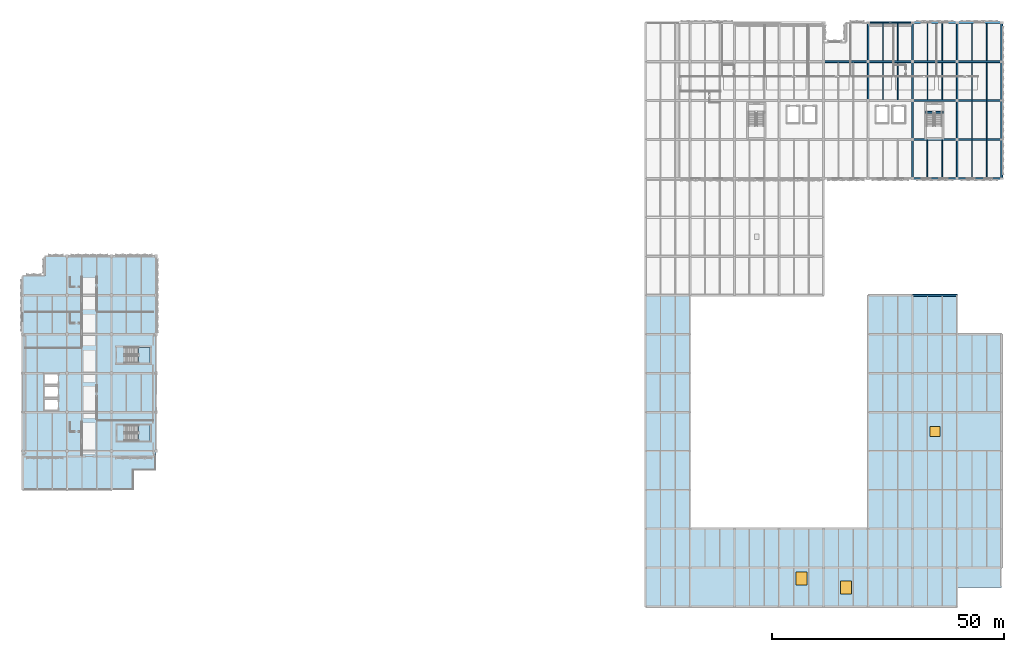
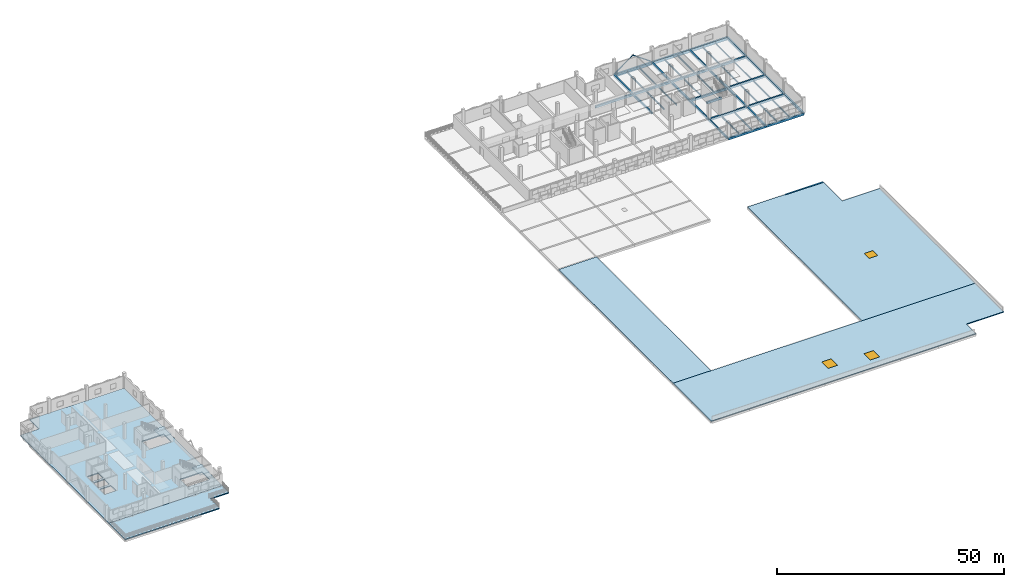
# One storey, part 7 of 24: 47 beams, 7 slabs, 3 windows, 2 members, 3 openings, 3 elements without a shape of their own.
"""IFC4 building model written with IfcOpenShell, lengths in metres."""

from ifc_helpers import new_model, si_unit, direction, frame, origin, origin_2d, place, context, subcontext, project, spatial, polyline, rectangle, hollow_rectangle, i_section, outline, extrude, material, layer, layer_set, material_profile, profile_set, type_object, element, fill, aggregate, save


model = new_model("IFC4")

# Units and contexts
model_context = context("Model", 3, precision=1e-05, world=origin(), true_north=direction((0.0, 1.0)))
body_context = subcontext(model_context, "Body", "Model", "MODEL_VIEW")
ifc_project = project(units=[si_unit("LENGTHUNIT", "METRE"), si_unit("AREAUNIT", "SQUARE_METRE"), si_unit("VOLUMEUNIT", "CUBIC_METRE"), si_unit("PLANEANGLEUNIT", "RADIAN"), si_unit("MASSUNIT", "GRAM", prefix="KILO")], contexts=[model_context])

# Site, building, storey
site_placement = place(None, origin())
site = spatial("IfcSite", under=ifc_project, at=site_placement, CompositionType="ELEMENT")
building_placement = place(site_placement, origin())
building = spatial("IfcBuilding", under=site, at=building_placement, Name="Oolite Switchyard Hospital", CompositionType="ELEMENT")
storey_placement = place(building_placement, frame((0.0, 0.0, 22.0)))
storey = spatial("IfcBuildingStorey", under=building, at=storey_placement, Name="L05", CompositionType="ELEMENT", Elevation=22.0)

# Beams
ifc_material_1 = material(Name="Concrete C40/50", Category="concrete")
ifc_material_profile_1 = material_profile(ifc_material_1, rectangle(XDim=0.35009765625, YDim=0.550048828125, at=origin_2d()), Name="RCB350X550")
ifc_profile_set_1 = profile_set([ifc_material_profile_1], Name="Concrete C40/50")
beam_type_1 = type_object("IfcBeamType", Name="BM-RC350X550", PredefinedType="BEAM", material=ifc_profile_set_1)
for number, where, z_axis, x_axis, name in (
    (1, (182.39990234375, 117.60009765625, -0.27490234375), (0.0, 1.0, 0.0), (-1.0, 0.0, 0.0), "L05 Y-Girder 3535"),
    (2, (182.39990234375, 126.0, -0.27490234375), (0.0, 1.0, 0.0), (-1.0, 0.0, 0.0), "L05 Y-Girder 3536"),
    (3, (192.0, 100.800048828125, -0.27490234375), (0.0, 1.0, 0.0), (-1.0, 0.0, 0.0), "L05 Y-Girder 3545"),
):
    element("IfcBeam", number, at=place(storey_placement, frame(where, z_axis=z_axis, x_axis=x_axis)), inside=storey, type_object=beam_type_1, Name=name, PredefinedType="BEAM", context=body_context, shape_type="SweptSolid", body=[
        extrude(rectangle(XDim=0.35009765625, YDim=0.550048828125, at=origin_2d()), origin(), (0.0, 0.0, 1.0), 8.39990234375),
    ])
beam_1_placement = place(storey_placement, frame((192.0, 109.199951171875, -0.27490234375), z_axis=(0.0, 1.0, 0.0), x_axis=(-1.0, 0.0, 0.0)))
element("IfcBeam", 4, at=beam_1_placement, inside=storey, type_object=beam_type_1, Name="L05 Y-Girder 3546", PredefinedType="BEAM", context=body_context, shape_type="SweptSolid", body=[
    extrude(rectangle(XDim=0.35009765625, YDim=0.550048828125, at=origin_2d()), origin(), (0.0, 0.0, 1.0), 8.400146484375),
])
for number, where, z_axis, x_axis, name in (
    (5, (192.0, 117.60009765625, -0.27490234375), (0.0, 1.0, 0.0), (-1.0, 0.0, 0.0), "L05 Y-Girder 3547"),
    (6, (192.0, 126.0, -0.27490234375), (0.0, 1.0, 0.0), (-1.0, 0.0, 0.0), "L05 Y-Girder 3548"),
    (7, (201.60009765625, 100.800048828125, -0.27490234375), (0.0, 1.0, 0.0), (-1.0, 0.0, 0.0), "L05 Y-Girder 3557"),
):
    element("IfcBeam", number, at=place(storey_placement, frame(where, z_axis=z_axis, x_axis=x_axis)), inside=storey, type_object=beam_type_1, Name=name, PredefinedType="BEAM", context=body_context, shape_type="SweptSolid", body=[
        extrude(rectangle(XDim=0.35009765625, YDim=0.550048828125, at=origin_2d()), origin(), (0.0, 0.0, 1.0), 8.39990234375),
    ])
beam_2_placement = place(storey_placement, frame((201.60009765625, 109.199951171875, -0.27490234375), z_axis=(0.0, 1.0, 0.0), x_axis=(-1.0, 0.0, 0.0)))
element("IfcBeam", 8, at=beam_2_placement, inside=storey, type_object=beam_type_1, Name="L05 Y-Girder 3558", PredefinedType="BEAM", context=body_context, shape_type="SweptSolid", body=[
    extrude(rectangle(XDim=0.35009765625, YDim=0.550048828125, at=origin_2d()), origin(), (0.0, 0.0, 1.0), 8.400146484375),
])
for number, where, z_axis, x_axis, name in (
    (9, (201.60009765625, 117.60009765625, -0.27490234375), (0.0, 1.0, 0.0), (-1.0, 0.0, 0.0), "L05 Y-Girder 3559"),
    (10, (201.60009765625, 126.0, -0.27490234375), (0.0, 1.0, 0.0), (-1.0, 0.0, 0.0), "L05 Y-Girder 3560"),
):
    element("IfcBeam", number, at=place(storey_placement, frame(where, z_axis=z_axis, x_axis=x_axis)), inside=storey, type_object=beam_type_1, Name=name, PredefinedType="BEAM", context=body_context, shape_type="SweptSolid", body=[
        extrude(rectangle(XDim=0.35009765625, YDim=0.550048828125, at=origin_2d()), origin(), (0.0, 0.0, 1.0), 8.39990234375),
    ])
ifc_material_profile_2 = material_profile(ifc_material_1, rectangle(XDim=0.39990234375, YDim=0.60009765625, at=origin_2d()), Name="RCB400X600")
ifc_profile_set_2 = profile_set([ifc_material_profile_2], Name="Concrete C40/50")
beam_type_2 = type_object("IfcBeamType", Name="BM-RC400X600", PredefinedType="BEAM", material=ifc_profile_set_2)
for number, where, z_axis, x_axis, name in (
    (11, (192.0, 75.60009765625, -0.300048828125), (1.0, 0.0, 0.0), (0.0, 1.0, 0.0), "L05 X-Girder 3396"),
    (12, (192.0, 100.800048828125, -0.300048828125), (1.0, 0.0, 0.0), (0.0, 1.0, 0.0), "L05 X-Girder 3413"),
):
    element("IfcBeam", number, at=place(storey_placement, frame(where, z_axis=z_axis, x_axis=x_axis)), inside=storey, type_object=beam_type_2, Name=name, PredefinedType="BEAM", context=body_context, shape_type="SweptSolid", body=[
        extrude(rectangle(XDim=0.39990234375, YDim=0.60009765625, at=origin_2d()), origin(), (0.0, 0.0, 1.0), 9.60009765625),
    ])
beam_3_placement = place(storey_placement, frame((201.60009765625, 100.800048828125, -0.300048828125), z_axis=(1.0, 0.0, 0.0), x_axis=(0.0, 1.0, 0.0)))
element("IfcBeam", 13, at=beam_3_placement, inside=storey, type_object=beam_type_2, Name="L05 X-Girder 3414", PredefinedType="BEAM", context=body_context, shape_type="SweptSolid", body=[
    extrude(rectangle(XDim=0.39990234375, YDim=0.60009765625, at=origin_2d()), origin(), (0.0, 0.0, 1.0), 9.599853515625),
])
beam_4_placement = place(storey_placement, frame((192.0, 109.199951171875, -0.300048828125), z_axis=(1.0, 0.0, 0.0), x_axis=(0.0, 1.0, 0.0)))
element("IfcBeam", 14, at=beam_4_placement, inside=storey, type_object=beam_type_2, Name="L05 X-Girder 3421", PredefinedType="BEAM", context=body_context, shape_type="SweptSolid", body=[
    extrude(rectangle(XDim=0.39990234375, YDim=0.60009765625, at=origin_2d()), origin(), (0.0, 0.0, 1.0), 9.60009765625),
])
beam_5_placement = place(storey_placement, frame((201.60009765625, 109.199951171875, -0.300048828125), z_axis=(1.0, 0.0, 0.0), x_axis=(0.0, 1.0, 0.0)))
element("IfcBeam", 15, at=beam_5_placement, inside=storey, type_object=beam_type_2, Name="L05 X-Girder 3422", PredefinedType="BEAM", context=body_context, shape_type="SweptSolid", body=[
    extrude(rectangle(XDim=0.39990234375, YDim=0.60009765625, at=origin_2d()), origin(), (0.0, 0.0, 1.0), 9.599853515625),
])
beam_6_placement = place(storey_placement, frame((192.0, 117.60009765625, -0.300048828125), z_axis=(1.0, 0.0, 0.0), x_axis=(0.0, 1.0, 0.0)))
element("IfcBeam", 16, at=beam_6_placement, inside=storey, type_object=beam_type_2, Name="L05 X-Girder 3429", PredefinedType="BEAM", context=body_context, shape_type="SweptSolid", body=[
    extrude(rectangle(XDim=0.39990234375, YDim=0.60009765625, at=origin_2d()), origin(), (0.0, 0.0, 1.0), 9.60009765625),
])
for number, where, z_axis, x_axis, name in (
    (17, (201.60009765625, 117.60009765625, -0.300048828125), (1.0, 0.0, 0.0), (0.0, 1.0, 0.0), "L05 X-Girder 3430"),
    (18, (172.800048828125, 126.0, -0.300048828125), (1.0, 0.0, 0.0), (0.0, 1.0, 0.0), "L05 X-Girder 3435"),
):
    element("IfcBeam", number, at=place(storey_placement, frame(where, z_axis=z_axis, x_axis=x_axis)), inside=storey, type_object=beam_type_2, Name=name, PredefinedType="BEAM", context=body_context, shape_type="SweptSolid", body=[
        extrude(rectangle(XDim=0.39990234375, YDim=0.60009765625, at=origin_2d()), origin(), (0.0, 0.0, 1.0), 9.599853515625),
    ])
for number, where, z_axis, x_axis, name in (
    (19, (182.39990234375, 126.0, -0.300048828125), (1.0, 0.0, 0.0), (0.0, 1.0, 0.0), "L05 X-Girder 3436"),
    (20, (192.0, 126.0, -0.300048828125), (1.0, 0.0, 0.0), (0.0, 1.0, 0.0), "L05 X-Girder 3437"),
):
    element("IfcBeam", number, at=place(storey_placement, frame(where, z_axis=z_axis, x_axis=x_axis)), inside=storey, type_object=beam_type_2, Name=name, PredefinedType="BEAM", context=body_context, shape_type="SweptSolid", body=[
        extrude(rectangle(XDim=0.39990234375, YDim=0.60009765625, at=origin_2d()), origin(), (0.0, 0.0, 1.0), 9.60009765625),
    ])
beam_7_placement = place(storey_placement, frame((201.60009765625, 126.0, -0.300048828125), z_axis=(1.0, 0.0, 0.0), x_axis=(0.0, 1.0, 0.0)))
element("IfcBeam", 21, at=beam_7_placement, inside=storey, type_object=beam_type_2, Name="L05 X-Girder 3438", PredefinedType="BEAM", context=body_context, shape_type="SweptSolid", body=[
    extrude(rectangle(XDim=0.39990234375, YDim=0.60009765625, at=origin_2d()), origin(), (0.0, 0.0, 1.0), 9.599853515625),
])
beam_8_placement = place(storey_placement, frame((211.199951171875, 100.800048828125, -0.300048828125), z_axis=(0.0, 1.0, 0.0), x_axis=(-1.0, 0.0, 0.0)))
element("IfcBeam", 22, at=beam_8_placement, inside=storey, type_object=beam_type_2, Name="L05 Y-Girder 3567", PredefinedType="BEAM", context=body_context, shape_type="SweptSolid", body=[
    extrude(rectangle(XDim=0.39990234375, YDim=0.60009765625, at=origin_2d()), origin(), (0.0, 0.0, 1.0), 8.39990234375),
])
beam_9_placement = place(storey_placement, frame((211.199951171875, 109.199951171875, -0.300048828125), z_axis=(0.0, 1.0, 0.0), x_axis=(-1.0, 0.0, 0.0)))
element("IfcBeam", 23, at=beam_9_placement, inside=storey, type_object=beam_type_2, Name="L05 Y-Girder 3568", PredefinedType="BEAM", context=body_context, shape_type="SweptSolid", body=[
    extrude(rectangle(XDim=0.39990234375, YDim=0.60009765625, at=origin_2d()), origin(), (0.0, 0.0, 1.0), 8.400146484375),
])
for number, where, z_axis, x_axis, name in (
    (24, (211.199951171875, 117.60009765625, -0.300048828125), (0.0, 1.0, 0.0), (-1.0, 0.0, 0.0), "L05 Y-Girder 3569"),
    (25, (211.199951171875, 126.0, -0.300048828125), (0.0, 1.0, 0.0), (-1.0, 0.0, 0.0), "L05 Y-Girder 3570"),
):
    element("IfcBeam", number, at=place(storey_placement, frame(where, z_axis=z_axis, x_axis=x_axis)), inside=storey, type_object=beam_type_2, Name=name, PredefinedType="BEAM", context=body_context, shape_type="SweptSolid", body=[
        extrude(rectangle(XDim=0.39990234375, YDim=0.60009765625, at=origin_2d()), origin(), (0.0, 0.0, 1.0), 8.39990234375),
    ])
beam_10_placement = place(storey_placement, frame((194.77490234375, 115.110107421875, -0.300048828125), z_axis=(1.0, 0.0, 0.0), x_axis=(0.0, 1.0, 0.0)))
element("IfcBeam", 26, at=beam_10_placement, inside=storey, type_object=beam_type_2, Name="L05 ST-04 Stair Throat Trimmer Beam", PredefinedType="BEAM", context=body_context, shape_type="SweptSolid", body=[
    extrude(rectangle(XDim=0.39990234375, YDim=0.60009765625, at=origin_2d()), origin(), (0.0, 0.0, 1.0), 3.81005859375),
])
ifc_material_profile_3 = material_profile(ifc_material_1, rectangle(XDim=0.449951171875, YDim=0.75, at=origin_2d()), Name="RCB450X750")
ifc_profile_set_3 = profile_set([ifc_material_profile_3], Name="Concrete C40/50")
beam_type_3 = type_object("IfcBeamType", Name="BM-RC450X750", PredefinedType="BEAM", material=ifc_profile_set_3)
for number, where, z_axis, x_axis, name in (
    (27, (182.39990234375, 134.39990234375, -0.375), (1.0, 0.0, 0.0), (0.0, 1.0, 0.0), "L05 X-Girder 3443"),
    (28, (192.0, 134.39990234375, -0.375), (1.0, 0.0, 0.0), (0.0, 1.0, 0.0), "L05 X-Girder 3444"),
):
    element("IfcBeam", number, at=place(storey_placement, frame(where, z_axis=z_axis, x_axis=x_axis)), inside=storey, type_object=beam_type_3, Name=name, PredefinedType="BEAM", context=body_context, shape_type="SweptSolid", body=[
        extrude(rectangle(XDim=0.449951171875, YDim=0.75, at=origin_2d()), origin(), (0.0, 0.0, 1.0), 9.60009765625),
    ])
beam_11_placement = place(storey_placement, frame((201.60009765625, 134.39990234375, -0.375), z_axis=(1.0, 0.0, 0.0), x_axis=(0.0, 1.0, 0.0)))
element("IfcBeam", 29, at=beam_11_placement, inside=storey, type_object=beam_type_3, Name="L05 X-Girder 3445", PredefinedType="BEAM", context=body_context, shape_type="SweptSolid", body=[
    extrude(rectangle(XDim=0.449951171875, YDim=0.75, at=origin_2d()), origin(), (0.0, 0.0, 1.0), 9.599853515625),
])
ifc_material_2 = material(Name="Steel ASTM A992 Grade 50", Category="steel")
ifc_material_profile_4 = material_profile(ifc_material_2, i_section(OverallWidth=0.1650390625, OverallDepth=0.31005859375, WebThickness=0.006103515625, FlangeThickness=0.010009765625, at=origin_2d()), Name="W12X26")
ifc_profile_set_4 = profile_set([ifc_material_profile_4], Name="Steel ASTM A992 Grade 50")
beam_type_4 = type_object("IfcBeamType", Name="BM-W12X26", PredefinedType="JOIST", material=ifc_profile_set_4)
beam_12_placement = place(storey_placement, frame((208.0, 126.199951171875, -0.429931640625), z_axis=(0.0, 1.0, 0.0), x_axis=(-1.0, 0.0, 0.0)))
element("IfcBeam", 30, at=beam_12_placement, inside=storey, type_object=beam_type_4, Name="L05 Secondary Steel Joist 3746", PredefinedType="JOIST", context=body_context, shape_type="SweptSolid", body=[
    extrude(i_section(OverallWidth=0.1650390625, OverallDepth=0.31005859375, WebThickness=0.006103515625, FlangeThickness=0.010009765625, at=origin_2d()), origin(), (0.0, 0.0, 1.0), 7.97509765625),
])
ifc_material_profile_5 = material_profile(ifc_material_2, i_section(OverallWidth=0.1708984375, OverallDepth=0.35107421875, WebThickness=0.007080078125, FlangeThickness=0.010009765625, at=origin_2d()), Name="W14X30")
ifc_profile_set_5 = profile_set([ifc_material_profile_5], Name="Steel ASTM A992 Grade 50")
beam_type_5 = type_object("IfcBeamType", Name="BM-W14X30", PredefinedType="JOIST", material=ifc_profile_set_5)
beam_13_placement = place(storey_placement, frame((198.39990234375, 126.199951171875, -0.449951171875), z_axis=(0.0, 1.0, 0.0), x_axis=(-1.0, 0.0, 0.0)))
element("IfcBeam", 31, at=beam_13_placement, inside=storey, type_object=beam_type_5, Name="L05 Secondary Steel Joist 3728", PredefinedType="JOIST", context=body_context, shape_type="SweptSolid", body=[
    extrude(i_section(OverallWidth=0.1708984375, OverallDepth=0.35107421875, WebThickness=0.007080078125, FlangeThickness=0.010009765625, at=origin_2d()), origin(), (0.0, 0.0, 1.0), 7.97509765625),
])
beam_14_placement = place(storey_placement, frame((208.0, 117.800048828125, -0.449951171875), z_axis=(0.0, 1.0, 0.0), x_axis=(-1.0, 0.0, 0.0)))
element("IfcBeam", 32, at=beam_14_placement, inside=storey, type_object=beam_type_5, Name="L05 Secondary Steel Joist 3744", PredefinedType="JOIST", context=body_context, shape_type="SweptSolid", body=[
    extrude(i_section(OverallWidth=0.1708984375, OverallDepth=0.35107421875, WebThickness=0.007080078125, FlangeThickness=0.010009765625, at=origin_2d()), origin(), (0.0, 0.0, 1.0), 8.0),
])
beam_15_placement = place(storey_placement, frame((204.800048828125, 126.199951171875, -0.449951171875), z_axis=(0.0, 1.0, 0.0), x_axis=(-1.0, 0.0, 0.0)))
element("IfcBeam", 33, at=beam_15_placement, inside=storey, type_object=beam_type_5, Name="L05 Secondary Steel Joist 3745", PredefinedType="JOIST", context=body_context, shape_type="SweptSolid", body=[
    extrude(i_section(OverallWidth=0.1708984375, OverallDepth=0.35107421875, WebThickness=0.007080078125, FlangeThickness=0.010009765625, at=origin_2d()), origin(), (0.0, 0.0, 1.0), 7.97509765625),
])
ifc_material_profile_6 = material_profile(ifc_material_2, i_section(OverallWidth=0.177978515625, OverallDepth=0.403076171875, WebThickness=0.008056640625, FlangeThickness=0.010986328125, at=origin_2d()), Name="W16X36")
ifc_profile_set_6 = profile_set([ifc_material_profile_6], Name="Steel ASTM A992 Grade 50")
beam_type_6 = type_object("IfcBeamType", Name="BM-W16X36", PredefinedType="JOIST", material=ifc_profile_set_6)
beam_16_placement = place(storey_placement, frame((188.800048828125, 126.199951171875, -0.47607421875), z_axis=(0.0, 1.0, 0.0), x_axis=(-1.0, 0.0, 0.0)))
element("IfcBeam", 34, at=beam_16_placement, inside=storey, type_object=beam_type_6, Name="L05 Secondary Steel Joist 3706", PredefinedType="JOIST", context=body_context, shape_type="SweptSolid", body=[
    extrude(i_section(OverallWidth=0.177978515625, OverallDepth=0.403076171875, WebThickness=0.008056640625, FlangeThickness=0.010986328125, at=origin_2d()), origin(), (0.0, 0.0, 1.0), 7.97509765625),
])
beam_17_placement = place(storey_placement, frame((198.39990234375, 117.800048828125, -0.47607421875), z_axis=(0.0, 1.0, 0.0), x_axis=(-1.0, 0.0, 0.0)))
element("IfcBeam", 35, at=beam_17_placement, inside=storey, type_object=beam_type_6, Name="L05 Secondary Steel Joist 3726", PredefinedType="JOIST", context=body_context, shape_type="SweptSolid", body=[
    extrude(i_section(OverallWidth=0.177978515625, OverallDepth=0.403076171875, WebThickness=0.008056640625, FlangeThickness=0.010986328125, at=origin_2d()), origin(), (0.0, 0.0, 1.0), 8.0),
])
beam_18_placement = place(storey_placement, frame((195.199951171875, 126.199951171875, -0.47607421875), z_axis=(0.0, 1.0, 0.0), x_axis=(-1.0, 0.0, 0.0)))
element("IfcBeam", 36, at=beam_18_placement, inside=storey, type_object=beam_type_6, Name="L05 Secondary Steel Joist 3727", PredefinedType="JOIST", context=body_context, shape_type="SweptSolid", body=[
    extrude(i_section(OverallWidth=0.177978515625, OverallDepth=0.403076171875, WebThickness=0.008056640625, FlangeThickness=0.010986328125, at=origin_2d()), origin(), (0.0, 0.0, 1.0), 7.97509765625),
])
for number, where, z_axis, x_axis, name in (
    (37, (208.0, 109.39990234375, -0.47607421875), (0.0, 1.0, 0.0), (-1.0, 0.0, 0.0), "L05 Secondary Steel Joist 3742"),
    (38, (204.800048828125, 117.800048828125, -0.47607421875), (0.0, 1.0, 0.0), (-1.0, 0.0, 0.0), "L05 Secondary Steel Joist 3743"),
):
    element("IfcBeam", number, at=place(storey_placement, frame(where, z_axis=z_axis, x_axis=x_axis)), inside=storey, type_object=beam_type_6, Name=name, PredefinedType="JOIST", context=body_context, shape_type="SweptSolid", body=[
        extrude(i_section(OverallWidth=0.177978515625, OverallDepth=0.403076171875, WebThickness=0.008056640625, FlangeThickness=0.010986328125, at=origin_2d()), origin(), (0.0, 0.0, 1.0), 8.0),
    ])
ifc_material_profile_7 = material_profile(ifc_material_2, i_section(OverallWidth=0.179931640625, OverallDepth=0.4130859375, WebThickness=0.010009765625, FlangeThickness=0.01611328125, at=origin_2d()), Name="W16X50")
ifc_profile_set_7 = profile_set([ifc_material_profile_7], Name="Steel ASTM A992 Grade 50")
beam_type_7 = type_object("IfcBeamType", Name="BM-W16X50", PredefinedType="JOIST", material=ifc_profile_set_7)
beam_19_placement = place(storey_placement, frame((188.800048828125, 117.800048828125, -0.48095703125), z_axis=(0.0, 1.0, 0.0), x_axis=(-1.0, 0.0, 0.0)))
element("IfcBeam", 39, at=beam_19_placement, inside=storey, type_object=beam_type_7, Name="L05 Secondary Steel Joist 3704", PredefinedType="JOIST", context=body_context, shape_type="SweptSolid", body=[
    extrude(i_section(OverallWidth=0.179931640625, OverallDepth=0.4130859375, WebThickness=0.010009765625, FlangeThickness=0.01611328125, at=origin_2d()), origin(), (0.0, 0.0, 1.0), 8.0),
])
beam_20_placement = place(storey_placement, frame((185.60009765625, 126.199951171875, -0.48095703125), z_axis=(0.0, 1.0, 0.0), x_axis=(-1.0, 0.0, 0.0)))
element("IfcBeam", 40, at=beam_20_placement, inside=storey, type_object=beam_type_7, Name="L05 Secondary Steel Joist 3705", PredefinedType="JOIST", context=body_context, shape_type="SweptSolid", body=[
    extrude(i_section(OverallWidth=0.179931640625, OverallDepth=0.4130859375, WebThickness=0.010009765625, FlangeThickness=0.01611328125, at=origin_2d()), origin(), (0.0, 0.0, 1.0), 7.97509765625),
])
for number, where, z_axis, x_axis, name in (
    (41, (195.199951171875, 117.800048828125, -0.48095703125), (0.0, 1.0, 0.0), (-1.0, 0.0, 0.0), "L05 Secondary Steel Joist 3725"),
    (42, (208.0, 101.0, -0.48095703125), (0.0, 1.0, 0.0), (-1.0, 0.0, 0.0), "L05 Secondary Steel Joist 3740"),
    (43, (204.800048828125, 109.39990234375, -0.48095703125), (0.0, 1.0, 0.0), (-1.0, 0.0, 0.0), "L05 Secondary Steel Joist 3741"),
):
    element("IfcBeam", number, at=place(storey_placement, frame(where, z_axis=z_axis, x_axis=x_axis)), inside=storey, type_object=beam_type_7, Name=name, PredefinedType="JOIST", context=body_context, shape_type="SweptSolid", body=[
        extrude(i_section(OverallWidth=0.179931640625, OverallDepth=0.4130859375, WebThickness=0.010009765625, FlangeThickness=0.01611328125, at=origin_2d()), origin(), (0.0, 0.0, 1.0), 8.0),
    ])
ifc_material_profile_8 = material_profile(ifc_material_2, i_section(OverallWidth=0.153076171875, OverallDepth=0.455078125, WebThickness=0.008056640625, FlangeThickness=0.012939453125, at=origin_2d()), Name="W18X40")
ifc_profile_set_8 = profile_set([ifc_material_profile_8], Name="Steel ASTM A992 Grade 50")
beam_type_8 = type_object("IfcBeamType", Name="BM-W18X40", PredefinedType="JOIST", material=ifc_profile_set_8)
for number, where, z_axis, x_axis, name in (
    (44, (185.60009765625, 117.800048828125, -0.501953125), (0.0, 1.0, 0.0), (-1.0, 0.0, 0.0), "L05 Secondary Steel Joist 3703"),
    (45, (198.39990234375, 101.0, -0.501953125), (0.0, 1.0, 0.0), (-1.0, 0.0, 0.0), "L05 Secondary Steel Joist 3724"),
    (46, (204.800048828125, 101.0, -0.501953125), (0.0, 1.0, 0.0), (-1.0, 0.0, 0.0), "L05 Secondary Steel Joist 3739"),
):
    element("IfcBeam", number, at=place(storey_placement, frame(where, z_axis=z_axis, x_axis=x_axis)), inside=storey, type_object=beam_type_8, Name=name, PredefinedType="JOIST", context=body_context, shape_type="SweptSolid", body=[
        extrude(i_section(OverallWidth=0.153076171875, OverallDepth=0.455078125, WebThickness=0.008056640625, FlangeThickness=0.012939453125, at=origin_2d()), origin(), (0.0, 0.0, 1.0), 8.0),
    ])
ifc_material_profile_9 = material_profile(ifc_material_2, i_section(OverallWidth=0.19091796875, OverallDepth=0.4599609375, WebThickness=0.010009765625, FlangeThickness=0.01611328125, at=origin_2d()), Name="W18X55")
ifc_profile_set_9 = profile_set([ifc_material_profile_9], Name="Steel ASTM A992 Grade 50")
beam_type_9 = type_object("IfcBeamType", Name="BM-W18X55", PredefinedType="JOIST", material=ifc_profile_set_9)
beam_21_placement = place(storey_placement, frame((195.199951171875, 101.0, -0.5048828125), z_axis=(0.0, 1.0, 0.0), x_axis=(-1.0, 0.0, 0.0)))
element("IfcBeam", 47, at=beam_21_placement, inside=storey, type_object=beam_type_9, Name="L05 Secondary Steel Joist 3723", PredefinedType="JOIST", context=body_context, shape_type="SweptSolid", body=[
    extrude(i_section(OverallWidth=0.19091796875, OverallDepth=0.4599609375, WebThickness=0.010009765625, FlangeThickness=0.01611328125, at=origin_2d()), origin(), (0.0, 0.0, 1.0), 8.0),
])

# Members
ifc_material_3 = material(Name="Steel ASTM A500 Grade C", Category="steel")
ifc_material_profile_10 = material_profile(ifc_material_3, hollow_rectangle(XDim=0.152099609375, YDim=0.25390625, WallThickness=0.012939453125, at=origin_2d()), Name="HSS254X152X13")
ifc_profile_set_10 = profile_set([ifc_material_profile_10], Name="Steel ASTM A500 Grade C")
member_type = type_object("IfcMemberType", Name="MEM-BR-RHS254", PredefinedType="BRACE", material=ifc_profile_set_10)
for number, where, z_axis, x_axis, name in (
    (48, (182.39990234375, 134.39990234375, 0.02001953125), (0.813627204479, 0.0, 0.581386938392), (0.0, 1.0, 0.0), "L05 Chevron Brace 55"),
    (49, (192.0, 134.39990234375, 0.02001953125), (-0.813627204479, 0.0, 0.581386938392), (0.0, -1.0, 0.0), "L05 Chevron Brace 56"),
):
    element("IfcMember", number, at=place(storey_placement, frame(where, z_axis=z_axis, x_axis=x_axis)), inside=storey, type_object=member_type, Name=name, PredefinedType="BRACE", context=body_context, shape_type="SweptSolid", body=[
        extrude(hollow_rectangle(XDim=0.152099609375, YDim=0.25390625, WallThickness=0.012939453125, at=origin_2d()), origin(), (0.0, 0.0, 1.0), 5.899658203125),
    ])

# Slab
ifc_layer_1 = layer(ifc_material_1, 0.27490234375)
ifc_layer_set_1 = layer_set([ifc_layer_1], Name="SLB-FLR-275")
slab_type_1 = type_object("IfcSlabType", Name="SLB-FLR-275", PredefinedType="FLOOR", material=ifc_layer_set_1)
slab_1_placement = place(storey_placement, frame((0.0, 0.0, -0.27490234375)))
element("IfcSlab", 50, at=slab_1_placement, inside=storey, type_object=slab_type_1, Name="L05 V5W Slab V5W", PredefinedType="FLOOR", context=body_context, shape_type="SweptSolid", body=[
    extrude(outline(polyline([(0.0, 40.800048828125), (28.800048828125, 40.800048828125), (28.800048828125, 84.0), (4.800048828125, 84.0), (4.800048828125, 79.800048828125), (0.0, 79.800048828125), (0.0, 40.800048828125)]), holes=[polyline([(21.9599609375, 44.199951171875), (27.550048828125, 44.199951171875), (27.550048828125, 47.56005859375), (21.9599609375, 47.56005859375), (21.9599609375, 44.199951171875)]), polyline([(21.9599609375, 61.0), (27.550048828125, 61.0), (27.550048828125, 64.360107421875), (21.9599609375, 64.360107421875), (21.9599609375, 61.0)]), polyline([(4.800048828125, 50.89990234375), (7.60009765625, 50.89990234375), (7.60009765625, 53.10009765625), (4.800048828125, 53.10009765625), (4.800048828125, 50.89990234375)]), polyline([(4.800048828125, 53.699951171875), (7.60009765625, 53.699951171875), (7.60009765625, 55.89990234375), (4.800048828125, 55.89990234375), (4.800048828125, 53.699951171875)]), polyline([(4.800048828125, 56.5), (7.60009765625, 56.5), (7.60009765625, 58.699951171875), (4.800048828125, 58.699951171875), (4.800048828125, 56.5)])]), origin(), (0.0, 0.0, 1.0), 0.27490234375),
])

# Stair, slab
stair_type = type_object("IfcStairType", Name="STR-DL-156-R24", PredefinedType="HALF_TURN_STAIR", material=ifc_material_1)
stair_1_placement = place(storey_placement, origin())
stair_1 = element("IfcStair", 51, at=stair_1_placement, inside=storey, type_object=stair_type, Name="L05 Exit Stair ST-01", PredefinedType="HALF_TURN_STAIR")
ifc_layer_2 = layer(ifc_material_1, 0.199951171875)
ifc_layer_set_2 = layer_set([ifc_layer_2], Name="SLB-LND-200")
slab_type_2 = type_object("IfcSlabType", Name="SLB-LND-200", PredefinedType="LANDING", material=ifc_layer_set_2)
slab_2_placement = place(storey_placement, frame((0.0, 0.0, 1.89990234375)))
slab_2 = element("IfcSlab", 52, at=slab_2_placement, type_object=slab_type_2, Name="ST-01 landing 1", PredefinedType="LANDING", context=body_context, shape_type="SweptSolid", body=[
    extrude(outline(polyline([(25.0400390625, 44.199951171875), (27.550048828125, 44.199951171875), (27.550048828125, 47.56005859375), (25.0400390625, 47.56005859375), (25.0400390625, 44.199951171875)])), origin(), (0.0, 0.0, 1.0), 0.2001953125),
])
aggregate(stair_1, [slab_2])

stair_2_placement = place(storey_placement, origin())
stair_2 = element("IfcStair", 53, at=stair_2_placement, inside=storey, type_object=stair_type, Name="L05 Exit Stair ST-02", PredefinedType="HALF_TURN_STAIR")
slab_3_placement = place(storey_placement, frame((0.0, 0.0, 1.89990234375)))
slab_3 = element("IfcSlab", 54, at=slab_3_placement, type_object=slab_type_2, Name="ST-02 landing 1", PredefinedType="LANDING", context=body_context, shape_type="SweptSolid", body=[
    extrude(outline(polyline([(25.0400390625, 61.0), (27.550048828125, 61.0), (27.550048828125, 64.360107421875), (25.0400390625, 64.360107421875), (25.0400390625, 61.0)])), origin(), (0.0, 0.0, 1.0), 0.2001953125),
])
aggregate(stair_2, [slab_3])

# Roof, slabs, openings, windows
roof_type = type_object("IfcRoofType", Name="ROOF-FLAT", PredefinedType="FLAT_ROOF", material=ifc_material_1)
roof_placement = place(storey_placement, origin())
roof = element("IfcRoof", 55, at=roof_placement, inside=storey, type_object=roof_type, Name="L05 Flat Cool Roof Assembly", PredefinedType="FLAT_ROOF")
ifc_layer_3 = layer(ifc_material_1, 0.235107421875)
ifc_layer_set_3 = layer_set([ifc_layer_3], Name="SLB-ROOF-235")
slab_type_3 = type_object("IfcSlabType", Name="SLB-ROOF-235", PredefinedType="ROOF", material=ifc_layer_set_3)
slab_4_placement = place(storey_placement, frame((0.0, 0.0, -0.235107421875)))
slab_4 = element("IfcSlab", 56, at=slab_4_placement, type_object=slab_type_3, Name="L05 V6 Slab V6SR", PredefinedType="ROOF", context=body_context, shape_type="SweptSolid", body=[
    extrude(outline(polyline([(134.39990234375, 8.39990234375), (201.60009765625, 8.39990234375), (201.60009765625, 12.60009765625), (211.199951171875, 12.60009765625), (211.199951171875, 25.199951171875), (134.39990234375, 25.199951171875), (134.39990234375, 8.39990234375)])), origin(), (0.0, 0.0, 1.0), 0.235107421875),
])
opening_1_placement = place(slab_4_placement, frame((168.0, 14.5, 0.0)))
opening_1 = element("IfcOpeningElement", 57, at=opening_1_placement, cuts=slab_4, Name="Opening SKY-009", PredefinedType="OPENING", context=body_context, shape_type="SweptSolid", body=[
    extrude(rectangle(XDim=2.39990234375, YDim=2.800048828125, at=origin_2d()), frame((0.0, 0.0, -0.010009765625), z_axis=(0.0, 0.0, 1.0), x_axis=(1.0, 0.0, 0.0)), (0.0, 0.0, 1.0), 0.255126953125),
])
opening_2_placement = place(slab_4_placement, frame((177.60009765625, 12.60009765625, 0.0)))
opening_2 = element("IfcOpeningElement", 58, at=opening_2_placement, cuts=slab_4, Name="Opening SKY-010", PredefinedType="OPENING", context=body_context, shape_type="SweptSolid", body=[
    extrude(rectangle(XDim=2.39990234375, YDim=2.800048828125, at=origin_2d()), frame((0.0, 0.0, -0.010009765625), z_axis=(0.0, 0.0, 1.0), x_axis=(1.0, 0.0, 0.0)), (0.0, 0.0, 1.0), 0.255126953125),
])
ifc_material_4 = material(Name="Thermally broken aluminum frame with laminated impact glazing", Category="aluminium")
window_type_1 = type_object("IfcWindowType", Name="SKY-240X280", PartitioningType="SINGLE_PANEL", PredefinedType="SKYLIGHT", material=ifc_material_4)
window_1_placement = place(opening_1_placement, frame((0.0, 0.0, 0.18505859375)))
window_1 = element("IfcWindow", 59, at=window_1_placement, inside=storey, type_object=window_type_1, Name="L05 Hurricane Roof Skylight SKY-009", OverallHeight=2.800048828125, OverallWidth=2.39990234375, PartitioningType="SINGLE_PANEL", PredefinedType="SKYLIGHT", context=body_context, shape_type="SweptSolid", body=[
    extrude(rectangle(XDim=2.39990234375, YDim=2.800048828125, at=origin_2d()), origin(), (0.0, 0.0, 1.0), 0.050048828125),
])
fill(opening_1, window_1)
window_2_placement = place(opening_2_placement, frame((0.0, 0.0, 0.18505859375)))
window_2 = element("IfcWindow", 60, at=window_2_placement, inside=storey, type_object=window_type_1, Name="L05 Hurricane Roof Skylight SKY-010", OverallHeight=2.800048828125, OverallWidth=2.39990234375, PartitioningType="SINGLE_PANEL", PredefinedType="SKYLIGHT", context=body_context, shape_type="SweptSolid", body=[
    extrude(rectangle(XDim=2.39990234375, YDim=2.800048828125, at=origin_2d()), origin(), (0.0, 0.0, 1.0), 0.050048828125),
])
fill(opening_2, window_2)
slab_5_placement = place(storey_placement, frame((0.0, 0.0, -0.235107421875)))
slab_5 = element("IfcSlab", 61, at=slab_5_placement, type_object=slab_type_3, Name="L05 V6 Slab V6WR", PredefinedType="ROOF", context=body_context, shape_type="SweptSolid", body=[
    extrude(outline(polyline([(134.39990234375, 25.199951171875), (144.0, 25.199951171875), (144.0, 75.60009765625), (134.39990234375, 75.60009765625), (134.39990234375, 25.199951171875)])), origin(), (0.0, 0.0, 1.0), 0.235107421875),
])
slab_6_placement = place(storey_placement, frame((0.0, 0.0, -0.235107421875)))
slab_6 = element("IfcSlab", 62, at=slab_6_placement, type_object=slab_type_3, Name="L05 V6 Slab V6ER", PredefinedType="ROOF", context=body_context, shape_type="SweptSolid", body=[
    extrude(outline(polyline([(182.39990234375, 25.199951171875), (211.199951171875, 25.199951171875), (211.199951171875, 67.199951171875), (201.60009765625, 67.199951171875), (201.60009765625, 75.60009765625), (182.39990234375, 75.60009765625), (182.39990234375, 25.199951171875)])), origin(), (0.0, 0.0, 1.0), 0.235107421875),
])
opening_3_placement = place(slab_6_placement, frame((196.800048828125, 46.199951171875, 0.0)))
opening_3 = element("IfcOpeningElement", 63, at=opening_3_placement, cuts=slab_6, Name="Opening SKY-011", PredefinedType="OPENING", context=body_context, shape_type="SweptSolid", body=[
    extrude(rectangle(XDim=2.199951171875, YDim=2.199951171875, at=origin_2d()), frame((0.0, 0.0, -0.010009765625), z_axis=(0.0, 0.0, 1.0), x_axis=(1.0, 0.0, 0.0)), (0.0, 0.0, 1.0), 0.255126953125),
])
window_type_2 = type_object("IfcWindowType", Name="SKY-220X220", PartitioningType="SINGLE_PANEL", PredefinedType="SKYLIGHT", material=ifc_material_4)
window_3_placement = place(opening_3_placement, frame((0.0, 0.0, 0.18505859375)))
window_3 = element("IfcWindow", 64, at=window_3_placement, inside=storey, type_object=window_type_2, Name="L05 Hurricane Roof Skylight SKY-011", OverallHeight=2.199951171875, OverallWidth=2.199951171875, PartitioningType="SINGLE_PANEL", PredefinedType="SKYLIGHT", context=body_context, shape_type="SweptSolid", body=[
    extrude(rectangle(XDim=2.199951171875, YDim=2.199951171875, at=origin_2d()), origin(), (0.0, 0.0, 1.0), 0.050048828125),
])
fill(opening_3, window_3)
aggregate(roof, [slab_4, slab_5, slab_6])

# Slab
ifc_layer_4 = layer(ifc_material_1, 0.264892578125)
ifc_layer_set_4 = layer_set([ifc_layer_4], Name="SLB-TER-265")
slab_type_4 = type_object("IfcSlabType", Name="SLB-TER-265", PredefinedType="FLOOR", material=ifc_layer_set_4)
slab_7_placement = place(storey_placement, frame((0.0, 0.0, -0.264892578125)))
element("IfcSlab", 65, at=slab_7_placement, inside=storey, type_object=slab_type_4, Name="L05 V5W Slab V5WT", PredefinedType="FLOOR", context=body_context, shape_type="SweptSolid", body=[
    extrude(outline(polyline([(0.0, 33.60009765625), (24.0, 33.60009765625), (24.0, 37.800048828125), (28.800048828125, 37.800048828125), (28.800048828125, 40.800048828125), (0.0, 40.800048828125), (0.0, 33.60009765625)])), origin(), (0.0, 0.0, 1.0), 0.264892578125),
])

save(model, "model.ifc")
